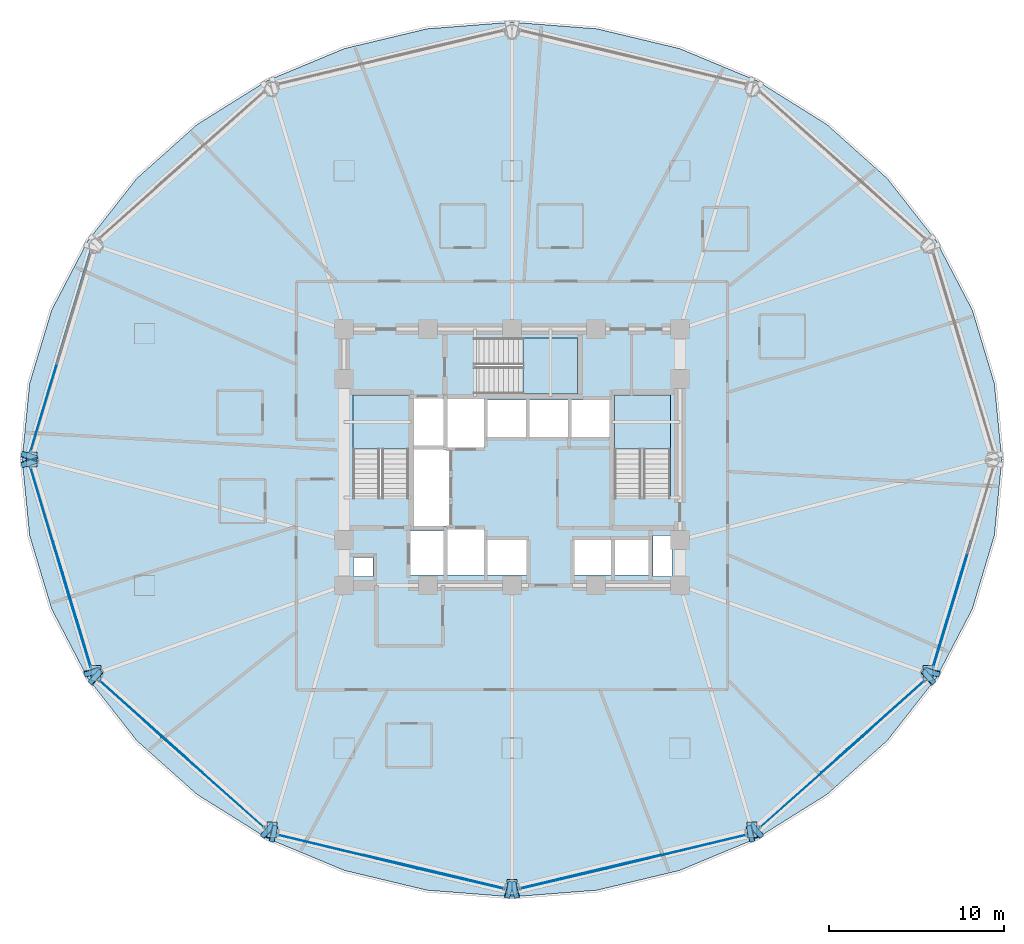
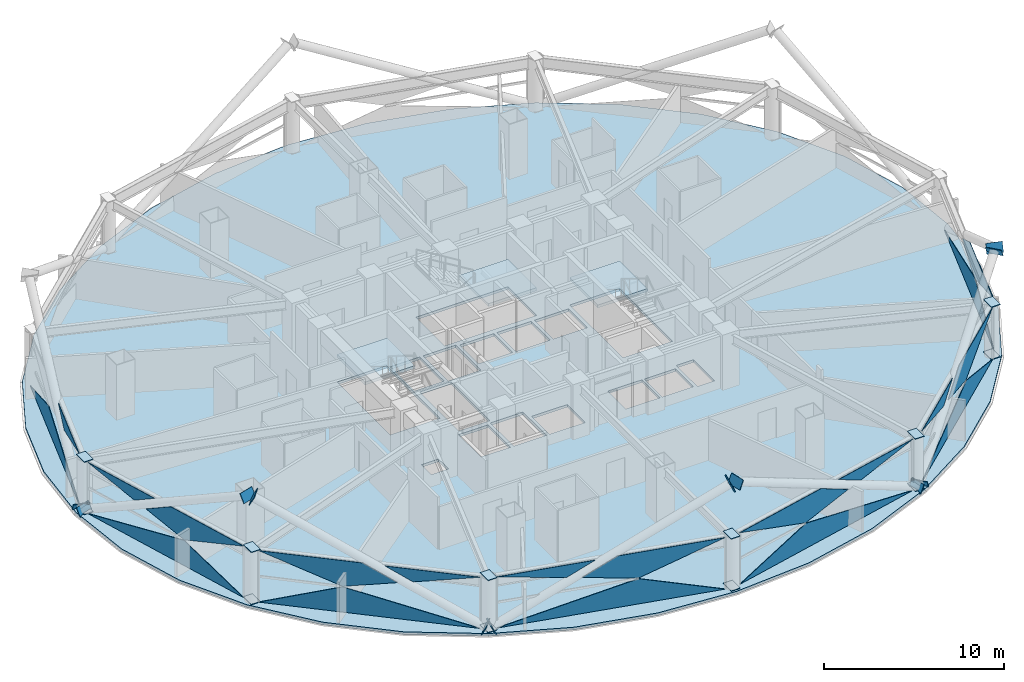
# One storey, part 20 of 30: 43 plates, 4 slabs, 10 elements without a shape of their own.
"""IFC4 building model written with IfcOpenShell, lengths in metres."""

from ifc_helpers import new_model, si_unit, direction, frame, origin, place, context, subcontext, project, spatial, polyline, outline, extrude, material, layer, layer_set, type_object, element, aggregate, save


model = new_model("IFC4")

# Units and contexts
model_context = context("Model", 3, precision=1e-05, world=origin(), true_north=direction((0.0, 1.0)))
body_context = subcontext(model_context, "Body", "Model", "MODEL_VIEW")
ifc_project = project(units=[si_unit("LENGTHUNIT", "METRE"), si_unit("AREAUNIT", "SQUARE_METRE"), si_unit("VOLUMEUNIT", "CUBIC_METRE"), si_unit("PLANEANGLEUNIT", "RADIAN"), si_unit("MASSUNIT", "GRAM", prefix="KILO")], contexts=[model_context])

# Site, building, storey
site_placement = place(None, origin())
site = spatial("IfcSite", under=ifc_project, at=site_placement, CompositionType="ELEMENT")
building_placement = place(site_placement, origin())
building = spatial("IfcBuilding", under=site, at=building_placement, Name="Vantalir Tower", CompositionType="ELEMENT")
storey_placement = place(building_placement, frame((0.0, 0.0, 57.0)))
storey = spatial("IfcBuildingStorey", under=building, at=storey_placement, Name="L13", CompositionType="ELEMENT", Elevation=57.0)

# Curtain wall, plates
ifc_material_1 = material(Name="Champagne-silver PVDF aluminium and double-silver Low-E glass", Category="aluminium")
ifc_layer_1 = layer(ifc_material_1, 0.18994140625)
ifc_layer_set_1 = layer_set([ifc_layer_1], Name="Champagne-silver PVDF aluminium and double-silver Low-E glass")
curtain_wall_type = type_object("IfcCurtainWallType", Name="CW-DIAMOND-Z1", PredefinedType="USERDEFINED", material=ifc_layer_set_1)
curtain_wall_1_placement = place(storey_placement, origin())
curtain_wall_1 = element("IfcCurtainWall", 1, at=curtain_wall_1_placement, inside=storey, type_object=curtain_wall_type, Name="L13 Quilted Pyramid-Diamond Curtain Wall S06", ObjectType="UNITISED CURTAIN WALL", PredefinedType="USERDEFINED")
ifc_material_2 = material(Name="Double-silver Low-E laminated glass IGU", Category="glass")
ifc_layer_2 = layer(ifc_material_2, 0.028076171875)
ifc_layer_set_2 = layer_set([ifc_layer_2], Name="Double-silver Low-E laminated glass IGU")
plate_type_1 = type_object("IfcPlateType", Name="CWP-IGU-28", PredefinedType="CURTAIN_PANEL", material=ifc_layer_set_2)
plate_1_placement = place(storey_placement, frame((7.42236328125, 36.855712890625, 0.046630859375), z_axis=(0.957585822018, -0.287815799842, 0.013836864916), x_axis=(-0.287843084169, -0.957677585869, -2.0525035e-05)))
plate_1 = element("IfcPlate", 2, at=plate_1_placement, type_object=plate_type_1, Name="CW-L13-S06 Pyramid Diamond Facet 1L", PredefinedType="CURTAIN_PANEL", context=body_context, shape_type="SweptSolid", body=[
    extrude(outline(polyline([(0.0, 0.0), (11.894772927721332, 7.047314121155779e-19), (4.526034096819429, -1.727064876820126), (0.0, 0.0)])), origin(), (0.0, 0.0, -1.0), 0.028076171875),
])
plate_2_placement = place(storey_placement, frame((5.4345703125, 30.353515625, 3.52392578125), z_axis=(-0.957593995748, 0.287786722453, 0.013875939127), x_axis=(-0.287813794827, -0.957686387714, 4.7913067e-05)))
plate_2 = element("IfcPlate", 3, at=plate_2_placement, type_object=plate_type_1, Name="CW-L13-S06 Pyramid Diamond Facet 2U Infill Light", PredefinedType="CURTAIN_PANEL", context=body_context, shape_type="SweptSolid", body=[
    extrude(outline(polyline([(0.0, 0.0), (5.0954914626599415, 3.1170812458958252e-18), (1.5100853691104, -0.8402411390284942), (0.0, 0.0)])), origin(), (0.0, 0.0, -1.0), 0.028076171875),
])
aggregate(curtain_wall_1, [plate_1, plate_2])

curtain_wall_2_placement = place(storey_placement, origin())
curtain_wall_2 = element("IfcCurtainWall", 4, at=curtain_wall_2_placement, inside=storey, type_object=curtain_wall_type, Name="L13 Quilted Pyramid-Diamond Curtain Wall S07", ObjectType="UNITISED CURTAIN WALL", PredefinedType="USERDEFINED")
plate_3_placement = place(storey_placement, frame((3.99853515625, 24.53564453125, 0.04638671875), z_axis=(0.957592880479, 0.287793248896, 0.013817421824), x_axis=(0.287820454072, -0.957684387362, 2.0523421e-05)))
plate_3 = element("IfcPlate", 5, at=plate_3_placement, type_object=plate_type_1, Name="CW-L13-S07 Pyramid Diamond Facet 1L", PredefinedType="CURTAIN_PANEL", context=body_context, shape_type="SweptSolid", body=[
    extrude(outline(polyline([(0.0, 0.0), (11.895708163059952, -9.242823520438925e-18), (7.369207010080089, -1.7270644147053302), (0.0, 0.0)])), origin(), (0.0, 0.0, -1.0), 0.028076171875),
])
plate_4_placement = place(storey_placement, frame((5.814453125, 18.493408203125, 3.5234375), z_axis=(-0.957597269434, -0.287779117693, 0.013807570083), x_axis=(0.287806556761, -0.95768856414, 2.07595e-07)))
plate_4 = element("IfcPlate", 6, at=plate_4_placement, type_object=plate_type_1, Name="CW-L13-S07 Pyramid Diamond Facet 2U", PredefinedType="CURTAIN_PANEL", context=body_context, shape_type="SweptSolid", body=[
    extrude(outline(polyline([(0.0, 0.0), (5.586494428076429, -3.469446951953614e-18), (1.059957822458778, -1.726971491200214), (-1.869592511390559, -1.0403808337876257), (0.0, 0.0)])), origin(), (0.0, 0.0, -1.0), 0.028076171875),
])
plate_5_placement = place(storey_placement, frame((3.968017578125, 24.5263671875, 3.524169921875), z_axis=(-0.95760238429, -0.28776044844, 0.013841889853), x_axis=(0.287787384071, -0.95769432455, -4.7908671e-05)))
plate_5 = element("IfcPlate", 7, at=plate_5_placement, type_object=plate_type_1, Name="CW-L13-S07 Pyramid Diamond Facet 2U Infill Light", PredefinedType="CURTAIN_PANEL", context=body_context, shape_type="SweptSolid", body=[
    extrude(outline(polyline([(0.0, 0.0), (5.095959084904235, 3.0357660829594124e-18), (3.5856402221136268, -0.8402407470016955), (0.0, 0.0)])), origin(), (0.0, 0.0, -1.0), 0.028076171875),
])
aggregate(curtain_wall_2, [plate_3, plate_4, plate_5])

curtain_wall_3_placement = place(storey_placement, origin())
curtain_wall_3 = element("IfcCurtainWall", 8, at=curtain_wall_3_placement, inside=storey, type_object=curtain_wall_type, Name="L13 Quilted Pyramid-Diamond Curtain Wall S08", ObjectType="UNITISED CURTAIN WALL", PredefinedType="USERDEFINED")
plate_6_placement = place(storey_placement, frame((7.924072265625, 12.356201171875, 0.04638671875), z_axis=(0.665382714825, 0.74637789922, 0.013633575038), x_axis=(0.746447275152, -0.665444562243, 0.0)))
plate_6 = element("IfcPlate", 9, at=plate_6_placement, type_object=plate_type_1, Name="CW-L13-S08 Pyramid Diamond Facet 1L", PredefinedType="CURTAIN_PANEL", context=body_context, shape_type="SweptSolid", body=[
    extrude(outline(polyline([(0.0, 0.0), (12.583370022636046, 0.0), (4.783791229571598, -1.7274554741835277), (0.0, 0.0)])), origin(), (0.0, 0.0, -1.0), 0.028076171875),
])
plate_7_placement = place(storey_placement, frame((7.924072265625, 12.356201171875, 3.5234375), z_axis=(-0.665388997095, -0.74637341225, 0.013572473262), x_axis=(0.74644253771, -0.665449875054, 4.1085391e-05)))
plate_7 = element("IfcPlate", 10, at=plate_7_placement, type_object=plate_type_1, Name="CW-L13-S08 Pyramid Diamond Facet 2U", PredefinedType="CURTAIN_PANEL", context=body_context, shape_type="SweptSolid", body=[
    extrude(outline(polyline([(0.0, 0.0), (5.918436314774137, -1.951563910473908e-18), (7.887461720256405, -1.0402147966562905), (4.783720436500282, -1.727407415028871), (0.0, 0.0)])), origin(), (0.0, 0.0, -1.0), 0.028076171875),
])
plate_8_placement = place(storey_placement, frame((13.26318359375, 7.5537109375, 3.524169921875), z_axis=(-0.665394356439, -0.746371381006, 0.013420582489), x_axis=(0.746438605321, -0.665454287301, 0.0)))
plate_8 = element("IfcPlate", 11, at=plate_8_placement, type_object=plate_type_1, Name="CW-L13-S08 Pyramid Diamond Facet 2U Infill Light", PredefinedType="CURTAIN_PANEL", context=body_context, shape_type="SweptSolid", body=[
    extrude(outline(polyline([(0.0, 0.0), (5.402280474752166, 0.0), (1.596068810306071, -0.8430935071874526), (0.0, 0.0)])), origin(), (0.0, 0.0, -1.0), 0.028076171875),
])
aggregate(curtain_wall_3, [plate_6, plate_7, plate_8])

curtain_wall_4_placement = place(storey_placement, origin())
curtain_wall_4 = element("IfcCurtainWall", 12, at=curtain_wall_4_placement, inside=storey, type_object=curtain_wall_type, Name="L13 Quilted Pyramid-Diamond Curtain Wall S09", ObjectType="UNITISED CURTAIN WALL", PredefinedType="USERDEFINED")
plate_9_placement = place(storey_placement, frame((18.150634765625, 3.54736328125, 0.046142578125), z_axis=(0.232281850494, 0.97254997722, 0.013844989705), x_axis=(0.972643142153, -0.232304364321, 1.8439781e-05)))
plate_9 = element("IfcPlate", 13, at=plate_9_placement, type_object=plate_type_1, Name="CW-L13-S09 Pyramid Diamond Facet 1L", PredefinedType="CURTAIN_PANEL", context=body_context, shape_type="SweptSolid", body=[
    extrude(outline(polyline([(0.0, 0.0), (13.239887260572155, 2.8731357570865868e-18), (8.202391792840888, -1.7277975563932781), (0.0, 0.0)])), origin(), (0.0, 0.0, -1.0), 0.028076171875),
])
plate_10_placement = place(storey_placement, frame((24.9638671875, 1.920166015625, 3.523681640625), z_axis=(-0.232277108116, -0.972550543601, 0.013884710573), x_axis=(0.972644303162, -0.23229950393, -2.06057e-07)))
plate_10 = element("IfcPlate", 14, at=plate_10_placement, type_object=plate_type_1, Name="CW-L13-S09 Pyramid Diamond Facet 2U", PredefinedType="CURTAIN_PANEL", context=body_context, shape_type="SweptSolid", body=[
    extrude(outline(polyline([(0.0, 0.0), (6.235038439298125, 3.469446951953614e-18), (1.1975113517648346, -1.7277053617726261), (-2.0650771431503885, -1.0403852036864139), (0.0, 0.0)])), origin(), (0.0, 0.0, -1.0), 0.028076171875),
])
plate_11_placement = place(storey_placement, frame((18.143310546875, 3.51611328125, 3.524169921875), z_axis=(-0.232290203485, -0.972549091149, 0.013766868583), x_axis=(0.972641266247, -0.232312219209, 0.0)))
plate_11 = element("IfcPlate", 15, at=plate_11_placement, type_object=plate_type_1, Name="CW-L13-S09 Pyramid Diamond Facet 2U Infill Light", PredefinedType="CURTAIN_PANEL", context=body_context, shape_type="SweptSolid", body=[
    extrude(outline(polyline([(0.0, 0.0), (5.693862814261939, 0.0), (4.015142088045988, -0.8457832780423248), (0.0, 0.0)])), origin(), (0.0, 0.0, -1.0), 0.028076171875),
])
aggregate(curtain_wall_4, [plate_9, plate_10, plate_11])

curtain_wall_5_placement = place(storey_placement, origin())
curtain_wall_5 = element("IfcCurtainWall", 16, at=curtain_wall_5_placement, inside=storey, type_object=curtain_wall_type, Name="L13 Quilted Pyramid-Diamond Curtain Wall S10", ObjectType="UNITISED CURTAIN WALL", PredefinedType="USERDEFINED")
plate_12_placement = place(storey_placement, frame((31.9716796875, 0.4716796875, 0.04638671875), z_axis=(-0.232281850494, 0.97254997722, 0.013844989705), x_axis=(0.972643142153, 0.232304364321, -1.8439781e-05)))
plate_12 = element("IfcPlate", 17, at=plate_12_placement, type_object=plate_type_1, Name="CW-L13-S10 Pyramid Diamond Facet 1L", PredefinedType="CURTAIN_PANEL", context=body_context, shape_type="SweptSolid", body=[
    extrude(outline(polyline([(0.0, 0.0), (13.239887260572155, -2.8731357570865868e-18), (5.037495467731267, -1.7277975563932781), (0.0, 0.0)])), origin(), (0.0, 0.0, -1.0), 0.028076171875),
])
plate_13_placement = place(storey_placement, frame((31.9716796875, 0.4716796875, 3.523681640625), z_axis=(0.232277108116, -0.972550543601, 0.013884710573), x_axis=(0.972644303162, 0.23229950393, 2.06057e-07)))
plate_13 = element("IfcPlate", 18, at=plate_13_placement, type_object=plate_type_1, Name="CW-L13-S10 Pyramid Diamond Facet 2U", PredefinedType="CURTAIN_PANEL", context=body_context, shape_type="SweptSolid", body=[
    extrude(outline(polyline([(0.0, 0.0), (6.235038439298125, -3.469446951953614e-18), (8.300115582448514, -1.0403852036864139), (5.037527087533292, -1.7277053617726261), (0.0, 0.0)])), origin(), (0.0, 0.0, -1.0), 0.028076171875),
])
plate_14_placement = place(storey_placement, frame((39.318603515625, 2.193359375, 3.524169921875), z_axis=(0.232290203485, -0.972549091149, 0.013766868583), x_axis=(0.972641266247, 0.232312219209, 0.0)))
plate_14 = element("IfcPlate", 19, at=plate_14_placement, type_object=plate_type_1, Name="CW-L13-S10 Pyramid Diamond Facet 2U Infill Light", PredefinedType="CURTAIN_PANEL", context=body_context, shape_type="SweptSolid", body=[
    extrude(outline(polyline([(0.0, 0.0), (5.693862814261939, 0.0), (1.6787207262159507, -0.8457832780423248), (0.0, 0.0)])), origin(), (0.0, 0.0, -1.0), 0.028076171875),
])
aggregate(curtain_wall_5, [plate_12, plate_13, plate_14])

curtain_wall_6_placement = place(storey_placement, origin())
curtain_wall_6 = element("IfcCurtainWall", 20, at=curtain_wall_6_placement, inside=storey, type_object=curtain_wall_type, Name="L13 Quilted Pyramid-Diamond Curtain Wall S11", ObjectType="UNITISED CURTAIN WALL", PredefinedType="USERDEFINED")
plate_15_placement = place(storey_placement, frame((45.68310546875, 3.982666015625, 0.04638671875), z_axis=(-0.665382714825, 0.74637789922, 0.013633575038), x_axis=(0.746447275152, 0.665444562243, 0.0)))
plate_15 = element("IfcPlate", 21, at=plate_15_placement, type_object=plate_type_1, Name="CW-L13-S11 Pyramid Diamond Facet 1L", PredefinedType="CURTAIN_PANEL", context=body_context, shape_type="SweptSolid", body=[
    extrude(outline(polyline([(0.0, 0.0), (12.583370022636046, 0.0), (7.799578793064447, -1.7274554741835277), (0.0, 0.0)])), origin(), (0.0, 0.0, -1.0), 0.028076171875),
])
plate_16_placement = place(storey_placement, frame((50.658203125, 8.417724609375, 3.523681640625), z_axis=(0.665388997095, -0.74637341225, 0.013572473262), x_axis=(0.74644253771, 0.665449875054, -4.1085391e-05)))
plate_16 = element("IfcPlate", 22, at=plate_16_placement, type_object=plate_type_1, Name="CW-L13-S11 Pyramid Diamond Facet 2U", PredefinedType="CURTAIN_PANEL", context=body_context, shape_type="SweptSolid", body=[
    extrude(outline(polyline([(0.0, 0.0), (5.918436314774137, 1.951563910473908e-18), (1.134715878273856, -1.727407415028871), (-1.9690254054822667, -1.0402147966562905), (0.0, 0.0)])), origin(), (0.0, 0.0, -1.0), 0.028076171875),
])
plate_17_placement = place(storey_placement, frame((45.704345703125, 3.958740234375, 3.524169921875), z_axis=(0.665394356439, -0.746371381006, 0.013420582489), x_axis=(0.746438605321, 0.665454287301, 0.0)))
plate_17 = element("IfcPlate", 23, at=plate_17_placement, type_object=plate_type_1, Name="CW-L13-S11 Pyramid Diamond Facet 2U Infill Light", PredefinedType="CURTAIN_PANEL", context=body_context, shape_type="SweptSolid", body=[
    extrude(outline(polyline([(0.0, 0.0), (5.402280474752166, 0.0), (3.8062116644460953, -0.8430935071874526), (0.0, 0.0)])), origin(), (0.0, 0.0, -1.0), 0.028076171875),
])
aggregate(curtain_wall_6, [plate_15, plate_16, plate_17])

curtain_wall_7_placement = place(storey_placement, origin())
curtain_wall_7 = element("IfcCurtainWall", 24, at=curtain_wall_7_placement, inside=storey, type_object=curtain_wall_type, Name="L13 Quilted Pyramid-Diamond Curtain Wall S12", ObjectType="UNITISED CURTAIN WALL", PredefinedType="USERDEFINED")
plate_18_placement = place(storey_placement, frame((55.57763671875, 13.143310546875, 0.046630859375), z_axis=(-0.957592880479, 0.287793248896, 0.013817421824), x_axis=(0.287820454072, 0.957684387362, -2.0523421e-05)))
plate_18 = element("IfcPlate", 25, at=plate_18_placement, type_object=plate_type_1, Name="CW-L13-S12 Pyramid Diamond Facet 1L", PredefinedType="CURTAIN_PANEL", context=body_context, shape_type="SweptSolid", body=[
    extrude(outline(polyline([(0.0, 0.0), (11.895708163059952, 9.242823520438925e-18), (4.526501152979865, -1.7270644147053302), (0.0, 0.0)])), origin(), (0.0, 0.0, -1.0), 0.028076171875),
])
plate_19_placement = place(storey_placement, frame((55.57763671875, 13.143310546875, 3.5234375), z_axis=(0.957597269434, -0.287779117693, 0.013807570083), x_axis=(0.287806556761, 0.95768856414, -2.07595e-07)))
plate_19 = element("IfcPlate", 26, at=plate_19_placement, type_object=plate_type_1, Name="CW-L13-S12 Pyramid Diamond Facet 2U", PredefinedType="CURTAIN_PANEL", context=body_context, shape_type="SweptSolid", body=[
    extrude(outline(polyline([(0.0, 0.0), (5.586494428076429, 3.469446951953614e-18), (7.456086939466987, -1.0403808337876257), (4.52653660561765, -1.726971491200214), (0.0, 0.0)])), origin(), (0.0, 0.0, -1.0), 0.028076171875),
])
aggregate(curtain_wall_7, [plate_18, plate_19])

# Plates
ifc_material_3 = material(Name="Steel S460", Category="steel")
ifc_layer_3 = layer(ifc_material_3, 0.0400390625)
ifc_layer_set_3 = layer_set([ifc_layer_3], Name="Steel S460")
plate_type_2 = type_object("IfcPlateType", Name="PLT-KN-Z1", PredefinedType="USERDEFINED", material=ifc_layer_set_3)
plate_20_placement = place(storey_placement, frame((54.987060546875, 12.82861328125, 6.877685546875), z_axis=(-0.251490162949, -0.836766153777, 0.486389866087), x_axis=(0.957678644205, -0.287839563275, -1.5719864e-05)))
element("IfcPlate", 27, at=plate_20_placement, inside=storey, type_object=plate_type_2, Name="Node Cap Plate MEM-DG-L13-R01R End", ObjectType="FLANGE_PLATE", PredefinedType="USERDEFINED", context=body_context, shape_type="SweptSolid", body=[
    extrude(outline(polyline([(0.0, 0.0), (0.9498757175723269, 0.0), (0.94996959247553, 0.6200492202319443), (-0.00013993335954211683, 0.6200150367845599), (0.0, 0.0)])), origin(), (0.0, 0.0, -1.0), 0.0400390625),
])
for number, where, z_axis, x_axis, name in (
    (28, (3.5048828125, 24.528076171875, -0.080078125), (0.251490162949, -0.836766153777, 0.486389866087), (0.957678644205, 0.287839563275, 1.5719864e-05), "Node Cap Plate MEM-DG-L13-R19L Start"),
    (29, (7.103271484375, 12.55517578125, 6.877685546875), (0.251490162949, -0.836766153777, 0.486389866087), (0.957678644205, 0.287839563275, 1.5719864e-05), "Node Cap Plate MEM-DG-L13-R19L End"),
):
    element("IfcPlate", number, at=place(storey_placement, frame(where, z_axis=z_axis, x_axis=x_axis)), inside=storey, type_object=plate_type_2, Name=name, ObjectType="FLANGE_PLATE", PredefinedType="USERDEFINED", context=body_context, shape_type="SweptSolid", body=[
        extrude(outline(polyline([(0.0, 0.0), (0.9498757175723269, 0.0), (0.9500156509318689, 0.6200150367845599), (-9.38749032032523e-05, 0.6200492202319443), (0.0, 0.0)])), origin(), (0.0, 0.0, -1.0), 0.0400390625),
    ])
plate_21_placement = place(storey_placement, frame((4.41455078125, 25.198486328125, -0.080078125), z_axis=(0.251490162949, 0.836766153777, 0.486389866087), x_axis=(-0.957678644205, 0.287839563275, -1.5719864e-05)))
element("IfcPlate", 30, at=plate_21_placement, inside=storey, type_object=plate_type_2, Name="Node Cap Plate MEM-DG-L13-R19R Start", ObjectType="FLANGE_PLATE", PredefinedType="USERDEFINED", context=body_context, shape_type="SweptSolid", body=[
    extrude(outline(polyline([(0.0, 0.0), (0.9498757175723269, 0.0), (0.94996959247553, 0.6200492202319443), (-0.00013993335954211683, 0.6200150367845599), (0.0, 0.0)])), origin(), (0.0, 0.0, -1.0), 0.0400390625),
])
plate_22_placement = place(storey_placement, frame((17.90234375, 3.118408203125, -0.09423828125), z_axis=(0.868679647648, -0.207500700614, 0.449821218937), x_axis=(0.232338621109, 0.972634959786, -1.1995705e-05)))
element("IfcPlate", 31, at=plate_22_placement, inside=storey, type_object=plate_type_2, Name="Node Cap Plate MEM-DG-L13-R25L Start", ObjectType="FLANGE_PLATE", PredefinedType="USERDEFINED", context=body_context, shape_type="SweptSolid", body=[
    extrude(outline(polyline([(0.0, 0.0), (0.9498253909451931, 0.0), (0.9499634488044043, 0.6199874463205657), (-9.940184776774489e-05, 0.6199619284342917), (0.0, 0.0)])), origin(), (0.0, 0.0, -1.0), 0.0400390625),
])
plate_23_placement = place(storey_placement, frame((31.362060546875, -0.096435546875, 6.878662109375), z_axis=(0.868452327118, -0.20744640077, 0.450284961253), x_axis=(0.232326857774, 0.972637769683, 1.2001929e-05)))
element("IfcPlate", 32, at=plate_23_placement, inside=storey, type_object=plate_type_2, Name="Node Cap Plate MEM-DG-L13-R25L End", ObjectType="FLANGE_PLATE", PredefinedType="USERDEFINED", context=body_context, shape_type="SweptSolid", body=[
    extrude(outline(polyline([(0.0, 0.0), (0.9500628509950432, 0.0), (0.9499233860281305, 0.6198507701050563), (9.799542607623246e-05, 0.619876307914394), (0.0, 0.0)])), origin(), (0.0, 0.0, -1.0), 0.0400390625),
])
plate_24_placement = place(storey_placement, frame((17.736572265625, 4.2451171875, -0.087646484375), z_axis=(-0.660008864584, 0.588429318244, 0.467053782878), x_axis=(-0.665473396555, -0.746421568859, -4.294976e-06)))
element("IfcPlate", 33, at=plate_24_placement, inside=storey, type_object=plate_type_2, Name="Node Cap Plate MEM-DG-L13-R25R Start", ObjectType="FLANGE_PLATE", PredefinedType="USERDEFINED", context=body_context, shape_type="SweptSolid", body=[
    extrude(outline(polyline([(0.0, 0.0), (0.9501784068884593, 2.7755575615628914e-17), (0.9500093497512343, 0.62013797366992), (0.0001756437820656369, 0.6201287447177519), (0.0, 0.0)])), origin(), (0.0, 0.0, -1.0), 0.0400390625),
])
plate_25_placement = place(storey_placement, frame((7.89404296875, 13.019287109375, 6.878173828125), z_axis=(-0.660035435513, 0.588351724702, 0.467113981709), x_axis=(-0.665392257241, -0.746493899797, 3.9615877e-05)))
element("IfcPlate", 34, at=plate_25_placement, inside=storey, type_object=plate_type_2, Name="Node Cap Plate MEM-DG-L13-R25R End", ObjectType="FLANGE_PLATE", PredefinedType="USERDEFINED", context=body_context, shape_type="SweptSolid", body=[
    extrude(outline(polyline([(0.0, 0.0), (0.9500159504168886, 2.7755575615628914e-17), (0.9500648949788691, 0.6198369800772632), (-0.00011350471957255034, 0.619922117051366), (0.0, 0.0)])), origin(), (0.0, 0.0, -1.0), 0.0400390625),
])
plate_26_placement = place(storey_placement, frame((45.895751953125, 3.535888671875, -0.087646484375), z_axis=(0.660008864584, 0.588429318244, 0.467053782878), x_axis=(-0.665473396555, 0.746421568859, 4.294976e-06)))
element("IfcPlate", 35, at=plate_26_placement, inside=storey, type_object=plate_type_2, Name="Node Cap Plate MEM-DG-L13-R31L Start", ObjectType="FLANGE_PLATE", PredefinedType="USERDEFINED", context=body_context, shape_type="SweptSolid", body=[
    extrude(outline(polyline([(0.0, 0.0), (0.9501784068884593, -2.7755575615628914e-17), (0.9500027631063938, 0.6201287447177519), (0.00016905713722506556, 0.6201379736699199), (0.0, 0.0)])), origin(), (0.0, 0.0, -1.0), 0.0400390625),
])
plate_27_placement = place(storey_placement, frame((55.738037109375, 12.31005859375, 6.878173828125), z_axis=(0.660035435513, 0.588351724702, 0.467113981709), x_axis=(-0.665392257241, 0.746493899797, -3.9615877e-05)))
element("IfcPlate", 36, at=plate_27_placement, inside=storey, type_object=plate_type_2, Name="Node Cap Plate MEM-DG-L13-R31L End", ObjectType="FLANGE_PLATE", PredefinedType="USERDEFINED", context=body_context, shape_type="SweptSolid", body=[
    extrude(outline(polyline([(0.0, 0.0), (0.9500159504168886, -2.7755575615628914e-17), (0.9501294551364611, 0.619922117051366), (-4.8944561980517255e-05, 0.6198369800772632), (0.0, 0.0)])), origin(), (0.0, 0.0, -1.0), 0.0400390625),
])
plate_28_placement = place(storey_placement, frame((44.876953125, 4.042236328125, -0.09423828125), z_axis=(-0.868679647648, -0.207500700614, 0.449821218937), x_axis=(0.232338621109, -0.972634959786, 1.1995705e-05)))
element("IfcPlate", 37, at=plate_28_placement, inside=storey, type_object=plate_type_2, Name="Node Cap Plate MEM-DG-L13-R31R Start", ObjectType="FLANGE_PLATE", PredefinedType="USERDEFINED", context=body_context, shape_type="SweptSolid", body=[
    extrude(outline(polyline([(0.0, 0.0), (0.9498253909451931, 0.0), (0.9499247927929608, 0.6199619284342917), (-0.0001380578592111704, 0.6199874463205657), (0.0, 0.0)])), origin(), (0.0, 0.0, -1.0), 0.0400390625),
])
plate_29_placement = place(storey_placement, frame((31.417236328125, 0.82763671875, 6.878662109375), z_axis=(-0.868452327118, -0.20744640077, 0.450284961253), x_axis=(0.232326857774, -0.972637769683, -1.2001929e-05)))
element("IfcPlate", 38, at=plate_29_placement, inside=storey, type_object=plate_type_2, Name="Node Cap Plate MEM-DG-L13-R31R End", ObjectType="FLANGE_PLATE", PredefinedType="USERDEFINED", context=body_context, shape_type="SweptSolid", body=[
    extrude(outline(polyline([(0.0, 0.0), (0.9500628509950432, 0.0), (0.9499648555689669, 0.6198763079143939), (0.00013946496691266775, 0.6198507701050563), (0.0, 0.0)])), origin(), (0.0, 0.0, -1.0), 0.0400390625),
])
ifc_layer_4 = layer(ifc_material_3, 0.035888671875)
ifc_layer_set_4 = layer_set([ifc_layer_4], Name="Steel S460")
plate_type_3 = type_object("IfcPlateType", Name="PLT-KN-Z2", PredefinedType="USERDEFINED", material=ifc_layer_set_4)
for number, where, z_axis, x_axis, name in (
    (39, (3.759033203125, 25.43994140625, 3.597900390625), (0.0, 0.0, 1.0), (0.0, -1.0, 0.0), "L13 Ring Column Top Cap RC07"),
    (40, (3.759033203125, 25.43994140625, 0.052978515625), (0.0, 0.0, 1.0), (0.0, -1.0, 0.0), "L13 Ring Column Base Cap RC07"),
):
    element("IfcPlate", number, at=place(storey_placement, frame(where, z_axis=z_axis, x_axis=x_axis)), inside=storey, type_object=plate_type_3, Name=name, ObjectType="FLANGE_PLATE", PredefinedType="USERDEFINED", context=body_context, shape_type="SweptSolid", body=[
        extrude(outline(polyline([(0.0, 0.0), (0.8798828125, 0.0), (0.8798828125, 0.580078125), (0.0, 0.580078125), (0.0, 0.0)])), origin(), (0.0, 0.0, -1.0), 0.035888671875),
    ])
for number, where, z_axis, x_axis, name in (
    (41, (7.43701171875, 13.214111328125, 3.597900390625), (0.0, 0.0, 1.0), (0.0, -1.0, 0.0), "L13 Ring Column Top Cap RC08"),
    (42, (7.43701171875, 13.214111328125, 0.052978515625), (0.0, 0.0, 1.0), (0.0, -1.0, 0.0), "L13 Ring Column Base Cap RC08"),
):
    element("IfcPlate", number, at=place(storey_placement, frame(where, z_axis=z_axis, x_axis=x_axis)), inside=storey, type_object=plate_type_3, Name=name, ObjectType="FLANGE_PLATE", PredefinedType="USERDEFINED", context=body_context, shape_type="SweptSolid", body=[
        extrude(outline(polyline([(0.0, 0.0), (0.880126953125, 0.0), (0.880126953125, 0.580078125), (0.0, 0.580078125), (0.0, 0.0)])), origin(), (0.0, 0.0, -1.0), 0.035888671875),
    ])
for number, where, z_axis, x_axis, name in (
    (43, (17.48388671875, 4.264892578125, 3.597900390625), (0.0, 0.0, 1.0), (0.0, -1.0, 0.0), "L13 Ring Column Top Cap RC09"),
    (44, (17.48388671875, 4.264892578125, 0.052978515625), (0.0, 0.0, 1.0), (0.0, -1.0, 0.0), "L13 Ring Column Base Cap RC09"),
):
    element("IfcPlate", number, at=place(storey_placement, frame(where, z_axis=z_axis, x_axis=x_axis)), inside=storey, type_object=plate_type_3, Name=name, ObjectType="FLANGE_PLATE", PredefinedType="USERDEFINED", context=body_context, shape_type="SweptSolid", body=[
        extrude(outline(polyline([(0.0, 0.0), (0.8798828125, 0.0), (0.8798828125, 0.580078125), (0.0, 0.580078125), (0.0, 0.0)])), origin(), (0.0, 0.0, -1.0), 0.035888671875),
    ])
for number, where, z_axis, x_axis, name in (
    (45, (31.2099609375, 0.989013671875, 3.597900390625), (0.0, 0.0, 1.0), (0.0, -1.0, 0.0), "L13 Ring Column Top Cap RC10"),
    (46, (31.2099609375, 0.989013671875, 0.052978515625), (0.0, 0.0, 1.0), (0.0, -1.0, 0.0), "L13 Ring Column Base Cap RC10"),
):
    element("IfcPlate", number, at=place(storey_placement, frame(where, z_axis=z_axis, x_axis=x_axis)), inside=storey, type_object=plate_type_3, Name=name, ObjectType="FLANGE_PLATE", PredefinedType="USERDEFINED", context=body_context, shape_type="SweptSolid", body=[
        extrude(outline(polyline([(0.0, 0.0), (0.880126953125, 0.0), (0.880126953125, 0.580078125), (0.0, 0.580078125), (0.0, 0.0)])), origin(), (0.0, 0.0, -1.0), 0.035888671875),
    ])
for number, where, z_axis, x_axis, name in (
    (47, (44.93603515625, 4.264892578125, 3.597900390625), (0.0, 0.0, 1.0), (0.0, -1.0, 0.0), "L13 Ring Column Top Cap RC11"),
    (48, (44.93603515625, 4.264892578125, 0.052978515625), (0.0, 0.0, 1.0), (0.0, -1.0, 0.0), "L13 Ring Column Base Cap RC11"),
):
    element("IfcPlate", number, at=place(storey_placement, frame(where, z_axis=z_axis, x_axis=x_axis)), inside=storey, type_object=plate_type_3, Name=name, ObjectType="FLANGE_PLATE", PredefinedType="USERDEFINED", context=body_context, shape_type="SweptSolid", body=[
        extrude(outline(polyline([(0.0, 0.0), (0.8798828125, 0.0), (0.8798828125, 0.580078125), (0.0, 0.580078125), (0.0, 0.0)])), origin(), (0.0, 0.0, -1.0), 0.035888671875),
    ])
for number, where, z_axis, x_axis, name in (
    (49, (54.98291015625, 13.214111328125, 3.597900390625), (0.0, 0.0, 1.0), (0.0, -1.0, 0.0), "L13 Ring Column Top Cap RC12"),
    (50, (54.98291015625, 13.214111328125, 0.052978515625), (0.0, 0.0, 1.0), (0.0, -1.0, 0.0), "L13 Ring Column Base Cap RC12"),
):
    element("IfcPlate", number, at=place(storey_placement, frame(where, z_axis=z_axis, x_axis=x_axis)), inside=storey, type_object=plate_type_3, Name=name, ObjectType="FLANGE_PLATE", PredefinedType="USERDEFINED", context=body_context, shape_type="SweptSolid", body=[
        extrude(outline(polyline([(0.0, 0.0), (0.880126953125, 0.0), (0.880126953125, 0.580078125), (0.0, 0.580078125), (0.0, 0.0)])), origin(), (0.0, 0.0, -1.0), 0.035888671875),
    ])

# Stair, slab
ifc_material_4 = material(Name="Concrete C40/50", Category="concrete")
stair_type = type_object("IfcStairType", Name="STR-CORE-1450", PredefinedType="HALF_TURN_STAIR", material=ifc_material_4)
stair_1_placement = place(storey_placement, origin())
stair_1 = element("IfcStair", 51, at=stair_1_placement, inside=storey, type_object=stair_type, Name="L13 Core Exit Stair 1", PredefinedType="HALF_TURN_STAIR")
ifc_layer_5 = layer(ifc_material_4, 0.199951171875)
ifc_layer_set_5 = layer_set([ifc_layer_5], Name="Concrete C40/50")
slab_type_1 = type_object("IfcSlabType", Name="SL-LAND-200", PredefinedType="LANDING", material=ifc_layer_set_5)
slab_1_placement = place(storey_placement, frame((0.0, 0.0, 1.675048828125)))
slab_1 = element("IfcSlab", 52, at=slab_1_placement, type_object=slab_type_1, Name="ST1 landing 1", PredefinedType="LANDING", context=body_context, shape_type="SweptSolid", body=[
    extrude(outline(polyline([(25.60009765625, 25.590087890625), (25.60009765625, 28.699951171875), (22.39990234375, 28.699951171875), (22.39990234375, 25.590087890625), (25.60009765625, 25.590087890625)])), origin(), (0.0, 0.0, 1.0), 0.199951171875),
])
aggregate(stair_1, [slab_1])

stair_2_placement = place(storey_placement, origin())
stair_2 = element("IfcStair", 53, at=stair_2_placement, inside=storey, type_object=stair_type, Name="L13 Core Exit Stair 2", PredefinedType="HALF_TURN_STAIR")
slab_2_placement = place(storey_placement, frame((0.0, 0.0, 1.675048828125)))
slab_2 = element("IfcSlab", 54, at=slab_2_placement, type_object=slab_type_1, Name="ST2 landing 1", PredefinedType="LANDING", context=body_context, shape_type="SweptSolid", body=[
    extrude(outline(polyline([(40.550048828125, 25.590087890625), (40.550048828125, 28.699951171875), (37.35009765625, 28.699951171875), (37.35009765625, 25.590087890625), (40.550048828125, 25.590087890625)])), origin(), (0.0, 0.0, 1.0), 0.199951171875),
])
aggregate(stair_2, [slab_2])

stair_3_placement = place(storey_placement, origin())
stair_3 = element("IfcStair", 55, at=stair_3_placement, inside=storey, type_object=stair_type, Name="L13 Core Exit Stair 3", PredefinedType="HALF_TURN_STAIR")
slab_3_placement = place(storey_placement, frame((0.0, 0.0, 1.675048828125)))
slab_3 = element("IfcSlab", 56, at=slab_3_placement, type_object=slab_type_1, Name="ST3 landing 1", PredefinedType="LANDING", context=body_context, shape_type="SweptSolid", body=[
    extrude(outline(polyline([(32.139892578125, 28.75), (35.25, 28.75), (35.25, 31.949951171875), (32.139892578125, 31.949951171875), (32.139892578125, 28.75)])), origin(), (0.0, 0.0, 1.0), 0.199951171875),
])
aggregate(stair_3, [slab_3])

# Slab
ifc_layer_6 = layer(ifc_material_4, 0.179931640625)
ifc_layer_set_6 = layer_set([ifc_layer_6], Name="Concrete C40/50")
slab_type_2 = type_object("IfcSlabType", Name="SL-TWR-180", PredefinedType="FLOOR", material=ifc_layer_set_6)
slab_4_placement = place(storey_placement, frame((0.0, 0.0, -0.179931640625)))
element("IfcSlab", 57, at=slab_4_placement, inside=storey, type_object=slab_type_2, Name="L13 Primary Structural Slab", PredefinedType="FLOOR", context=body_context, shape_type="SweptSolid", body=[
    extrude(outline(polyline([(7.25, 12.4990234375), (10.050048828125, 8.929931640625), (13.5009765625, 5.847900390625), (17.4990234375, 3.347900390625), (21.923095703125, 1.507080078125), (26.637939453125, 0.37890625), (31.5, -0.0009765625), (36.362060546875, 0.37890625), (41.076904296875, 1.507080078125), (45.5009765625, 3.347900390625), (49.4990234375, 5.847900390625), (52.949951171875, 8.929931640625), (55.75, 12.4990234375), (57.81201171875, 16.448974609375), (59.075927734375, 20.658935546875), (59.5009765625, 25.0), (59.075927734375, 29.341064453125), (57.81201171875, 33.551025390625), (55.75, 37.5), (52.949951171875, 41.070068359375), (49.4990234375, 44.152099609375), (45.5009765625, 46.652099609375), (41.076904296875, 48.492919921875), (36.362060546875, 49.62109375), (31.5, 50.0009765625), (26.637939453125, 49.62109375), (21.923095703125, 48.492919921875), (17.5, 46.652099609375), (13.5009765625, 44.152099609375), (10.050048828125, 41.070068359375), (7.25, 37.5), (5.18798828125, 33.551025390625), (3.924072265625, 29.341064453125), (3.4990234375, 25.0), (3.924072265625, 20.658935546875), (5.18798828125, 16.448974609375), (7.25, 12.4990234375)]), holes=[polyline([(22.39990234375, 22.7900390625), (22.39990234375, 28.699951171875), (25.60009765625, 28.699951171875), (25.60009765625, 22.7900390625), (22.39990234375, 22.7900390625)]), polyline([(37.35009765625, 28.699951171875), (40.550048828125, 28.699951171875), (40.550048828125, 22.7900390625), (37.35009765625, 22.7900390625), (37.35009765625, 28.699951171875)]), polyline([(35.25, 28.75), (29.340087890625, 28.75), (29.340087890625, 31.949951171875), (35.25, 31.949951171875), (35.25, 28.75)]), polyline([(27.60009765625, 18.39990234375), (25.699951171875, 18.39990234375), (25.699951171875, 20.89990234375), (27.60009765625, 20.89990234375), (27.60009765625, 18.39990234375)]), polyline([(25.699951171875, 25.800048828125), (25.699951171875, 28.5), (27.60009765625, 28.5), (27.60009765625, 25.800048828125), (25.699951171875, 25.800048828125)]), polyline([(27.800048828125, 21.0), (29.89990234375, 21.0), (29.89990234375, 18.39990234375), (27.800048828125, 18.39990234375), (27.800048828125, 21.0)]), polyline([(29.89990234375, 28.5), (29.89990234375, 25.699951171875), (27.800048828125, 25.699951171875), (27.800048828125, 28.5), (29.89990234375, 28.5)]), polyline([(32.39990234375, 18.39990234375), (30.10009765625, 18.39990234375), (30.10009765625, 20.39990234375), (32.39990234375, 20.39990234375), (32.39990234375, 18.39990234375)]), polyline([(37.35009765625, 18.39990234375), (37.35009765625, 20.39990234375), (39.35009765625, 20.39990234375), (39.35009765625, 18.39990234375), (37.35009765625, 18.39990234375)]), polyline([(35.0, 20.39990234375), (37.199951171875, 20.39990234375), (37.199951171875, 18.39990234375), (35.0, 18.39990234375), (35.0, 20.39990234375)]), polyline([(32.300048828125, 28.39990234375), (32.300048828125, 26.300048828125), (30.10009765625, 26.300048828125), (30.10009765625, 28.39990234375), (32.300048828125, 28.39990234375)]), polyline([(34.699951171875, 26.300048828125), (32.5, 26.300048828125), (32.5, 28.39990234375), (34.699951171875, 28.39990234375), (34.699951171875, 26.300048828125)]), polyline([(34.89990234375, 26.300048828125), (34.89990234375, 28.39990234375), (37.10009765625, 28.39990234375), (37.10009765625, 26.300048828125), (34.89990234375, 26.300048828125)]), polyline([(25.889892578125, 25.56005859375), (27.89990234375, 25.56005859375), (27.89990234375, 21.199951171875), (25.889892578125, 21.199951171875), (25.889892578125, 25.56005859375)]), polyline([(23.550048828125, 19.39990234375), (23.550048828125, 18.300048828125), (22.449951171875, 18.300048828125), (22.449951171875, 19.39990234375), (23.550048828125, 19.39990234375)]), polyline([(40.64990234375, 18.300048828125), (39.550048828125, 18.300048828125), (39.550048828125, 20.64990234375), (40.64990234375, 20.64990234375), (40.64990234375, 18.300048828125)])]), origin(), (0.0, 0.0, 1.0), 0.179931640625),
])

save(model, "model.ifc")
